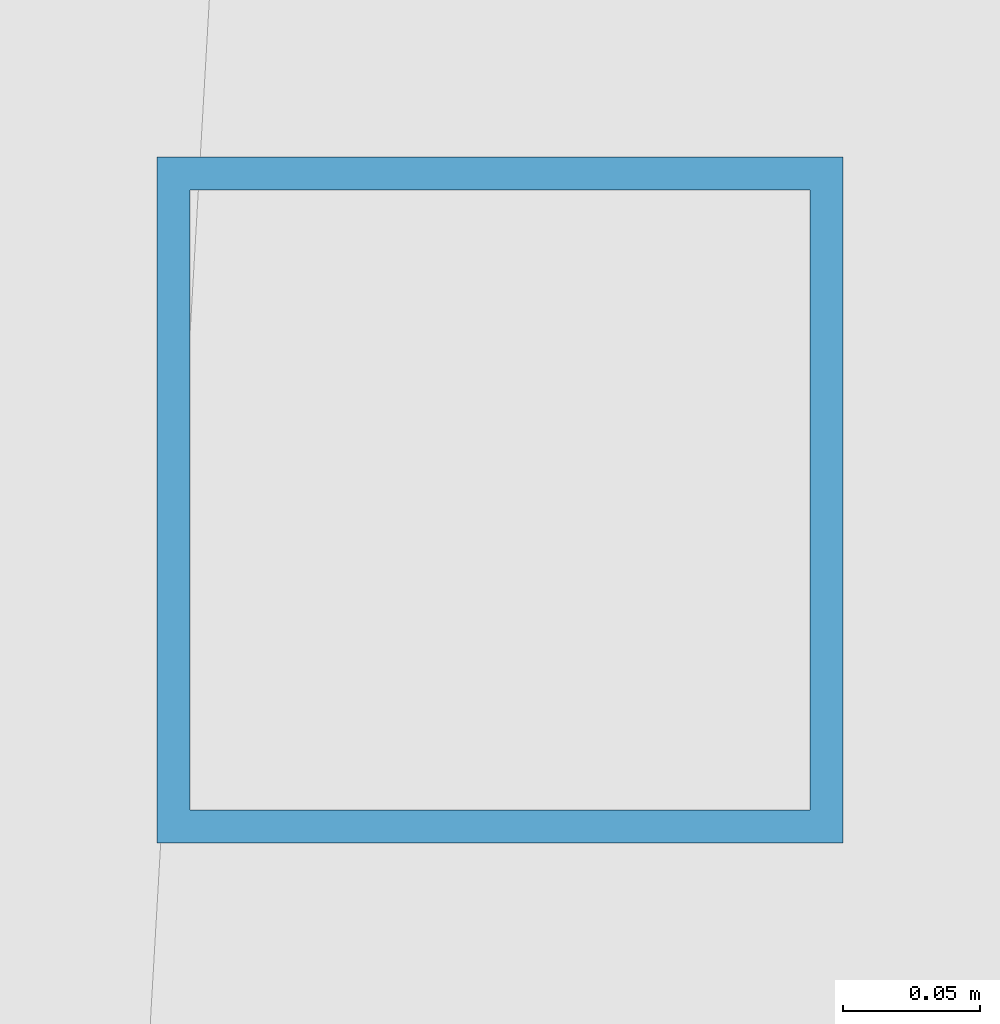
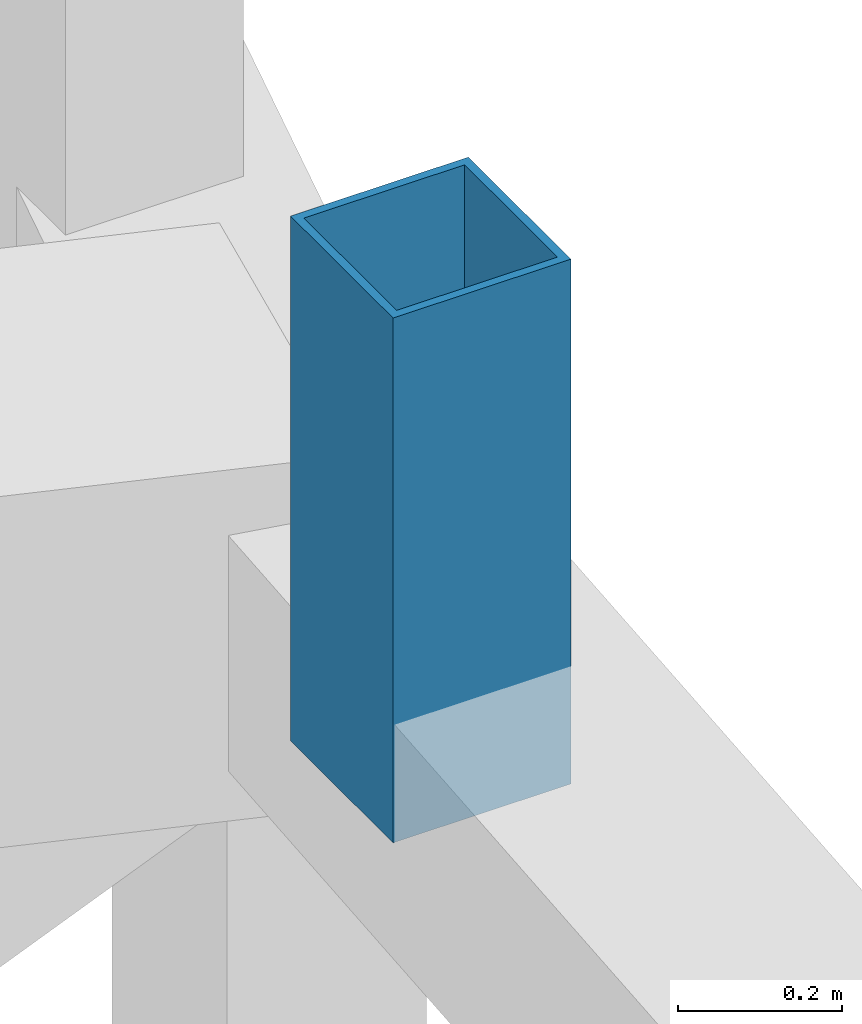
# One storey, part 107 of 162: 1 member.
"""IFC4 building model written with IfcOpenShell, lengths in metres."""

import ifcopenshell
import ifcopenshell.guid

model = None  # the IFC model being written
_history = None  # IfcOwnerHistory: only IFC2X3 demands one
_inside = {}  # id of a spatial element -> (the spatial element, [elements in it])
_under = {}  # id of a project, library or spatial element -> (it, [spatial elements below it])
_declared = {}  # id of a project -> (the project, [libraries it declares])
_typed = {}  # id of a type object -> (the type object, [elements of that type])
_made_of = {}  # id of a material, layer set ... -> (it, [elements and type objects made of it])


def new_model(schema):
    """Start an empty IFC model of exactly this schema.

    Asked for "IFC4X3", IfcOpenShell would pick the latest addendum, in which some entities
    have other attributes; the version numbers below select the first issue.
    IFC2X3 requires an IfcOwnerHistory on every rooted entity: one is made here for all.
    """
    global model, _history
    if schema == "IFC4X3":
        model = ifcopenshell.file(schema_version=(4, 3, 0, 0))
    else:
        model = ifcopenshell.file(schema=schema)
    _inside.clear()
    _under.clear()
    _declared.clear()
    _typed.clear()
    _made_of.clear()
    _history = None
    if model.schema == "IFC2X3":
        org = make("IfcOrganization", Name="unknown")
        user = make(
            "IfcPersonAndOrganization",
            ThePerson=make("IfcPerson", FamilyName="unknown"),
            TheOrganization=org,
        )
        app = make(
            "IfcApplication",
            ApplicationDeveloper=org,
            Version="unknown",
            ApplicationFullName="unknown",
            ApplicationIdentifier="unknown",
        )
        _history = make(
            "IfcOwnerHistory",
            OwningUser=user,
            OwningApplication=app,
            ChangeAction="ADDED",
            CreationDate=0,
        )
    return model


def make(cls, **values):
    """One entity of the class cls with the attributes given. An attribute that is None is left unset."""
    return model.create_entity(
        cls, **{name: value for name, value in values.items() if value is not None}
    )


def rooted(cls, **values):
    """An entity with a GlobalId (a new one), such as an element, a storey or a relation."""
    return make(cls, GlobalId=ifcopenshell.guid.new(), OwnerHistory=_history, **values)


def si_unit(unit_type, name, prefix=None):
    """IfcSIUnit, for example si_unit("LENGTHUNIT", "METRE", prefix="MILLI")."""
    return make("IfcSIUnit", UnitType=unit_type, Prefix=prefix, Name=name)


def assignment(units):
    """IfcUnitAssignment: the units of a project."""
    return None if units is None else make("IfcUnitAssignment", Units=units)


def point(xyz):
    """IfcCartesianPoint."""
    return None if xyz is None else make("IfcCartesianPoint", Coordinates=xyz)


def direction(xyz):
    """IfcDirection."""
    return None if xyz is None else make("IfcDirection", DirectionRatios=xyz)


def frame(location, z_axis=None, x_axis=None):
    """IfcAxis2Placement3D, a coordinate frame: its origin and axes. An axis left out is left unset."""
    return make(
        "IfcAxis2Placement3D",
        Location=point(location),
        Axis=direction(z_axis),
        RefDirection=direction(x_axis),
    )


def frame_2d(location, x_axis=None):
    """IfcAxis2Placement2D, a coordinate frame in the plane: its origin and x axis."""
    return make(
        "IfcAxis2Placement2D", Location=point(location), RefDirection=direction(x_axis)
    )


def origin():
    """The frame at (0, 0, 0) with its axes left unset."""
    return frame((0.0, 0.0, 0.0))


def origin_2d():
    """The frame at (0, 0) in the plane with its x axis left unset."""
    return frame_2d((0.0, 0.0))


def place(relative_to, where):
    """IfcLocalPlacement: puts the frame where relative to a parent placement (None: the world)."""
    return make(
        "IfcLocalPlacement", PlacementRelTo=relative_to, RelativePlacement=where
    )


def context(
    kind, dimensions, precision=None, world=None, true_north=None, identifier=None
):
    """IfcGeometricRepresentationContext, for example the 3D "Model" context."""
    return make(
        "IfcGeometricRepresentationContext",
        ContextIdentifier=identifier,
        ContextType=kind,
        CoordinateSpaceDimension=dimensions,
        Precision=precision,
        WorldCoordinateSystem=world,
        TrueNorth=true_north,
    )


def subcontext(parent, identifier, kind, view, scale=None):
    """IfcGeometricRepresentationSubContext, for example "Body" below "Model"."""
    return make(
        "IfcGeometricRepresentationSubContext",
        ContextIdentifier=identifier,
        ContextType=kind,
        ParentContext=parent,
        TargetScale=scale,
        TargetView=view,
    )


def project(units=None, contexts=None):
    """IfcProject with its units and contexts."""
    return rooted(
        "IfcProject",
        Name="project",
        RepresentationContexts=contexts,
        UnitsInContext=assignment(units),
    )


def spatial(cls, under=None, at=None, **own):
    """A site, building, storey or space (cls), placed at a placement, below another one or the project."""
    s = rooted(cls, ObjectPlacement=at, **own)
    if under is not None:
        _under.setdefault(under.id(), (under, []))[1].append(s)
    return s


def profile(cls, at=None, kind="AREA", **sizes):
    """A parametric profile (cls). Its sizes go by their IFC names, for example OverallWidth=200.0."""
    return make(cls, ProfileType=kind, Position=at, **sizes)


def hollow_rectangle(**sizes):
    """IfcRectangleHollowProfileDef."""
    return profile("IfcRectangleHollowProfileDef", **sizes)


def extrude(swept, where, along, depth):
    """IfcExtrudedAreaSolid: the profile swept, set in the frame where, extruded along a direction by depth."""
    return make(
        "IfcExtrudedAreaSolid",
        SweptArea=swept,
        Position=where,
        ExtrudedDirection=direction(along),
        Depth=depth,
    )


def shape(context_of_items, identifier, shape_type, items):
    """IfcShapeRepresentation: the items that make up one representation, for example the "Body"."""
    return make(
        "IfcShapeRepresentation",
        ContextOfItems=context_of_items,
        RepresentationIdentifier=identifier,
        RepresentationType=shape_type,
        Items=items,
    )


def material(Name=None, Category=None):
    """IfcMaterial."""
    return make("IfcMaterial", Name=Name, Category=Category)


def material_profile(
    of_material, cross_section, Name=None, Category=None, Priority=None
):
    """IfcMaterialProfile: a cross section and its material."""
    return make(
        "IfcMaterialProfile",
        Name=Name,
        Material=of_material,
        Profile=cross_section,
        Priority=Priority,
        Category=Category,
    )


def profile_set(profiles, Name=None, composite=None):
    """IfcMaterialProfileSet."""
    return make(
        "IfcMaterialProfileSet",
        Name=Name,
        MaterialProfiles=profiles,
        CompositeProfile=composite,
    )


def made_of(thing, what):
    """Note that an element or type object is made of a material, layer set ...; save() writes the relation."""
    if what is not None:
        _made_of.setdefault(what.id(), (what, []))[1].append(thing)
    return thing


def type_object(cls, material=None, **own):
    """A type object (cls), such as IfcWallType, which elements share."""
    return made_of(rooted(cls, **own), material)


def element(
    cls,
    number,
    at=None,
    inside=None,
    cuts=None,
    type_object=None,
    material=None,
    context=None,
    identifier="Body",
    shape_type=None,
    held_by="IfcProductDefinitionShape",
    body=None,
    shapes=None,
    **own,
):
    """One element of the class cls, such as IfcWall. Its Tag is "e" and its number.

    at: its placement. inside: the storey or other place that contains it. cuts: it is an
    opening in that element (IfcRelVoidsElement). A single representation is given by context,
    identifier, shape_type and body (its items); several are given by shapes. held_by: the class
    of the entity that holds the representations. save() writes the other relations.
    """
    e = rooted(cls, Tag="e%d" % number, ObjectPlacement=at, **own)
    if body is not None:
        shapes = [shape(context, identifier, shape_type, body)]
    if shapes is not None:
        e.Representation = make(held_by, Representations=shapes)
    if inside is not None:
        _inside.setdefault(inside.id(), (inside, []))[1].append(e)
    if cuts is not None:
        rooted(
            "IfcRelVoidsElement", RelatingBuildingElement=cuts, RelatedOpeningElement=e
        )
    if type_object is not None:
        _typed.setdefault(type_object.id(), (type_object, []))[1].append(e)
    return made_of(e, material)


def aggregate(whole, parts):
    """IfcRelAggregates: a whole, such as a stair, and the parts it consists of."""
    return rooted("IfcRelAggregates", RelatingObject=whole, RelatedObjects=parts)


def save(model, path):
    """Write the relations noted so far, then the file.

    IfcRelAggregates (storeys below a building ...), IfcRelContainedInSpatialStructure (elements
    in a storey), IfcRelDefinesByType, IfcRelAssociatesMaterial and IfcRelDeclares: one each for
    every whole, place, type object, material and project.
    """
    for whole, parts in _under.values():
        aggregate(whole, parts)
    for where, things in _inside.values():
        rooted(
            "IfcRelContainedInSpatialStructure",
            RelatedElements=things,
            RelatingStructure=where,
        )
    for kind, things in _typed.values():
        rooted("IfcRelDefinesByType", RelatedObjects=things, RelatingType=kind)
    for what, things in _made_of.values():
        rooted("IfcRelAssociatesMaterial", RelatedObjects=things, RelatingMaterial=what)
    for by, libraries in _declared.values():
        rooted("IfcRelDeclares", RelatingContext=by, RelatedDefinitions=libraries)
    model.write(path)


model = new_model("IFC4")

# Units and contexts
model_context = context("Model", 3, precision=1e-05, world=origin(), true_north=direction((0.0, 1.0)))
body_context = subcontext(model_context, "Body", "Model", "MODEL_VIEW")
ifc_project = project(units=[si_unit("LENGTHUNIT", "METRE"), si_unit("AREAUNIT", "SQUARE_METRE"), si_unit("VOLUMEUNIT", "CUBIC_METRE"), si_unit("PLANEANGLEUNIT", "RADIAN"), si_unit("MASSUNIT", "GRAM", prefix="KILO")], contexts=[model_context])

# Site, building, storey
site_placement = place(None, origin())
site = spatial("IfcSite", under=ifc_project, at=site_placement, CompositionType="ELEMENT")
building_placement = place(site_placement, origin())
building = spatial("IfcBuilding", under=site, at=building_placement, Name="Kazemori Nagisa Stadium", CompositionType="ELEMENT")
storey_placement = place(building_placement, frame((0.0, 0.0, 36.719970703125)))
storey = spatial("IfcBuildingStorey", under=building, at=storey_placement, Name="RF", CompositionType="ELEMENT", Elevation=36.719970703125)

# Member
ifc_material = material(Name="Steel STKR490", Category="steel")
ifc_material_profile = material_profile(ifc_material, hollow_rectangle(XDim=0.25, YDim=0.25, WallThickness=0.011962890625, at=origin_2d()), Name="SHS-250x250x12")
ifc_profile_set = profile_set([ifc_material_profile], Name="Steel STKR490")
member_type = type_object("IfcMemberType", Name="Member_ST-SHS250", PredefinedType="STUD", material=ifc_profile_set)
member_placement = place(storey_placement, frame((72.68310546875, 111.82763671875, 5.56494140625), z_axis=(0.0, 0.0, 1.0), x_axis=(1.0, 0.0, 0.0)))
element("IfcMember", 1, at=member_placement, inside=storey, type_object=member_type, Name="Oculus skylight bearing stool B14-1", PredefinedType="STUD", context=body_context, shape_type="SweptSolid", body=[
    extrude(hollow_rectangle(XDim=0.25, YDim=0.25, WallThickness=0.011962890625, at=origin_2d()), origin(), (0.0, 0.0, 1.0), 0.780029296875),
])

save(model, "model.ifc")
